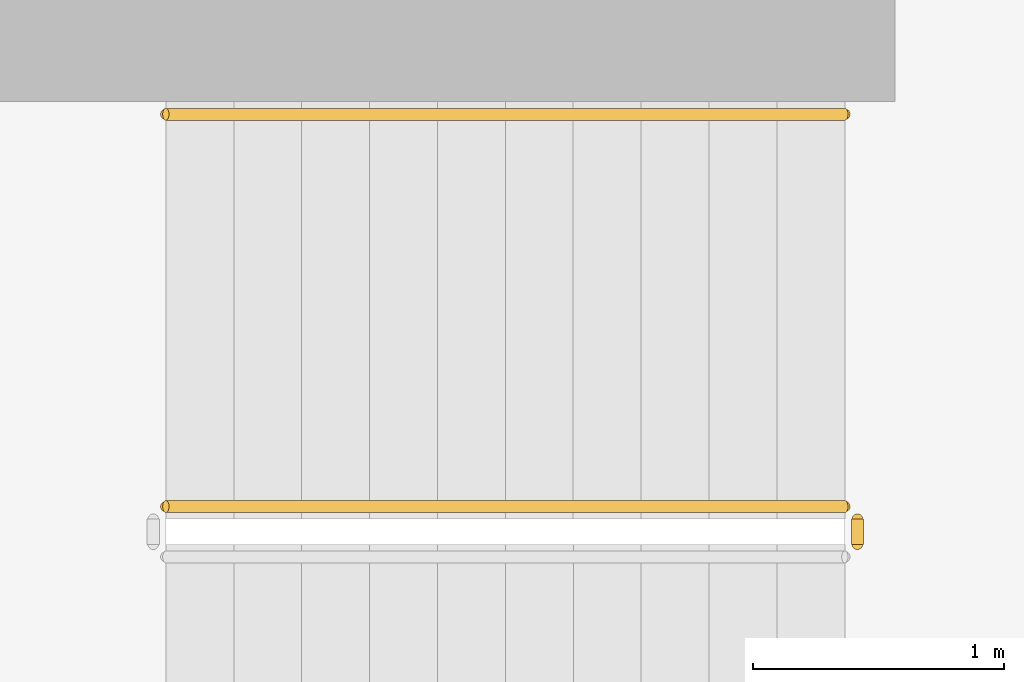
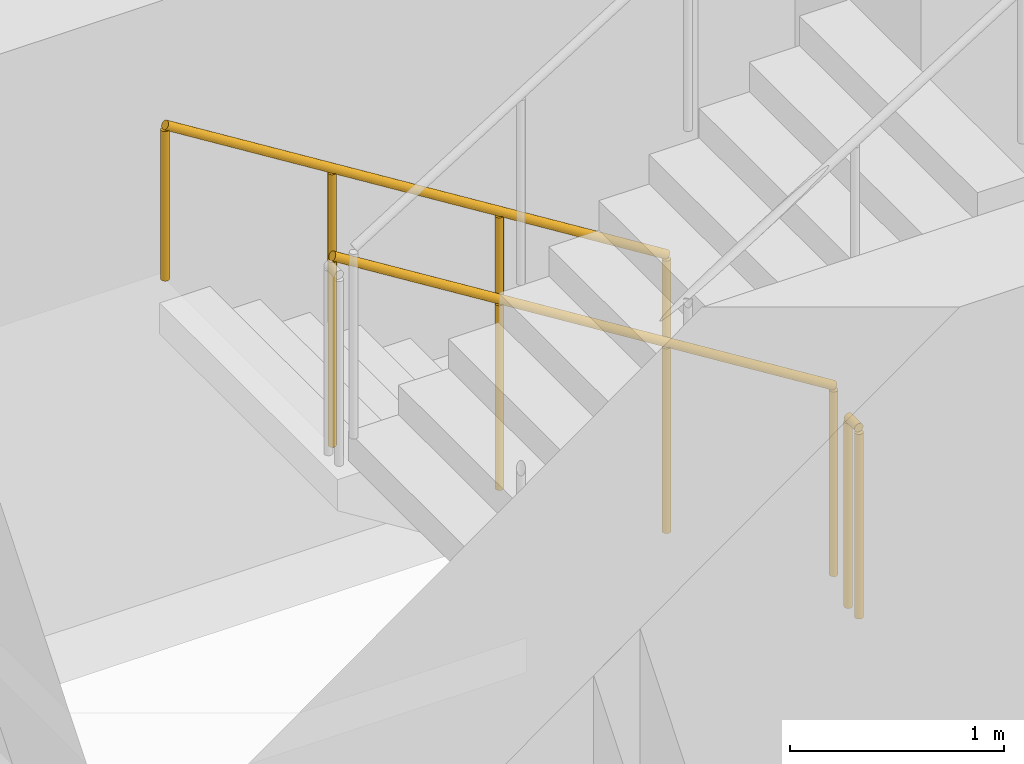
# One storey, part 15 of 16: 3 railings.
"""IFC4 building model written with IfcOpenShell, lengths in metres."""

import ifcopenshell
import ifcopenshell.guid

model = None  # the IFC model being written
_history = None  # IfcOwnerHistory: only IFC2X3 demands one
_inside = {}  # id of a spatial element -> (the spatial element, [elements in it])
_under = {}  # id of a project, library or spatial element -> (it, [spatial elements below it])
_declared = {}  # id of a project -> (the project, [libraries it declares])
_typed = {}  # id of a type object -> (the type object, [elements of that type])
_made_of = {}  # id of a material, layer set ... -> (it, [elements and type objects made of it])


def new_model(schema):
    """Start an empty IFC model of exactly this schema.

    Asked for "IFC4X3", IfcOpenShell would pick the latest addendum, in which some entities
    have other attributes; the version numbers below select the first issue.
    IFC2X3 requires an IfcOwnerHistory on every rooted entity: one is made here for all.
    """
    global model, _history
    if schema == "IFC4X3":
        model = ifcopenshell.file(schema_version=(4, 3, 0, 0))
    else:
        model = ifcopenshell.file(schema=schema)
    _inside.clear()
    _under.clear()
    _declared.clear()
    _typed.clear()
    _made_of.clear()
    _history = None
    if model.schema == "IFC2X3":
        org = make("IfcOrganization", Name="unknown")
        user = make(
            "IfcPersonAndOrganization",
            ThePerson=make("IfcPerson", FamilyName="unknown"),
            TheOrganization=org,
        )
        app = make(
            "IfcApplication",
            ApplicationDeveloper=org,
            Version="unknown",
            ApplicationFullName="unknown",
            ApplicationIdentifier="unknown",
        )
        _history = make(
            "IfcOwnerHistory",
            OwningUser=user,
            OwningApplication=app,
            ChangeAction="ADDED",
            CreationDate=0,
        )
    return model


def make(cls, **values):
    """One entity of the class cls with the attributes given. An attribute that is None is left unset."""
    return model.create_entity(
        cls, **{name: value for name, value in values.items() if value is not None}
    )


def rooted(cls, **values):
    """An entity with a GlobalId (a new one), such as an element, a storey or a relation."""
    return make(cls, GlobalId=ifcopenshell.guid.new(), OwnerHistory=_history, **values)


def si_unit(unit_type, name, prefix=None):
    """IfcSIUnit, for example si_unit("LENGTHUNIT", "METRE", prefix="MILLI")."""
    return make("IfcSIUnit", UnitType=unit_type, Prefix=prefix, Name=name)


def assignment(units):
    """IfcUnitAssignment: the units of a project."""
    return None if units is None else make("IfcUnitAssignment", Units=units)


def point(xyz):
    """IfcCartesianPoint."""
    return None if xyz is None else make("IfcCartesianPoint", Coordinates=xyz)


def direction(xyz):
    """IfcDirection."""
    return None if xyz is None else make("IfcDirection", DirectionRatios=xyz)


def frame(location, z_axis=None, x_axis=None):
    """IfcAxis2Placement3D, a coordinate frame: its origin and axes. An axis left out is left unset."""
    return make(
        "IfcAxis2Placement3D",
        Location=point(location),
        Axis=direction(z_axis),
        RefDirection=direction(x_axis),
    )


def frame_2d(location, x_axis=None):
    """IfcAxis2Placement2D, a coordinate frame in the plane: its origin and x axis."""
    return make(
        "IfcAxis2Placement2D", Location=point(location), RefDirection=direction(x_axis)
    )


def origin():
    """The frame at (0, 0, 0) with its axes left unset."""
    return frame((0.0, 0.0, 0.0))


def origin_2d():
    """The frame at (0, 0) in the plane with its x axis left unset."""
    return frame_2d((0.0, 0.0))


def place(relative_to, where):
    """IfcLocalPlacement: puts the frame where relative to a parent placement (None: the world)."""
    return make(
        "IfcLocalPlacement", PlacementRelTo=relative_to, RelativePlacement=where
    )


def context(
    kind, dimensions, precision=None, world=None, true_north=None, identifier=None
):
    """IfcGeometricRepresentationContext, for example the 3D "Model" context."""
    return make(
        "IfcGeometricRepresentationContext",
        ContextIdentifier=identifier,
        ContextType=kind,
        CoordinateSpaceDimension=dimensions,
        Precision=precision,
        WorldCoordinateSystem=world,
        TrueNorth=true_north,
    )


def subcontext(parent, identifier, kind, view, scale=None):
    """IfcGeometricRepresentationSubContext, for example "Body" below "Model"."""
    return make(
        "IfcGeometricRepresentationSubContext",
        ContextIdentifier=identifier,
        ContextType=kind,
        ParentContext=parent,
        TargetScale=scale,
        TargetView=view,
    )


def project(units=None, contexts=None):
    """IfcProject with its units and contexts."""
    return rooted(
        "IfcProject",
        Name="project",
        RepresentationContexts=contexts,
        UnitsInContext=assignment(units),
    )


def spatial(cls, under=None, at=None, **own):
    """A site, building, storey or space (cls), placed at a placement, below another one or the project."""
    s = rooted(cls, ObjectPlacement=at, **own)
    if under is not None:
        _under.setdefault(under.id(), (under, []))[1].append(s)
    return s


def profile(cls, at=None, kind="AREA", **sizes):
    """A parametric profile (cls). Its sizes go by their IFC names, for example OverallWidth=200.0."""
    return make(cls, ProfileType=kind, Position=at, **sizes)


def circle(**sizes):
    """IfcCircleProfileDef."""
    return profile("IfcCircleProfileDef", **sizes)


def extrude(swept, where, along, depth):
    """IfcExtrudedAreaSolid: the profile swept, set in the frame where, extruded along a direction by depth."""
    return make(
        "IfcExtrudedAreaSolid",
        SweptArea=swept,
        Position=where,
        ExtrudedDirection=direction(along),
        Depth=depth,
    )


def shape(context_of_items, identifier, shape_type, items):
    """IfcShapeRepresentation: the items that make up one representation, for example the "Body"."""
    return make(
        "IfcShapeRepresentation",
        ContextOfItems=context_of_items,
        RepresentationIdentifier=identifier,
        RepresentationType=shape_type,
        Items=items,
    )


def material(Name=None, Category=None):
    """IfcMaterial."""
    return make("IfcMaterial", Name=Name, Category=Category)


def made_of(thing, what):
    """Note that an element or type object is made of a material, layer set ...; save() writes the relation."""
    if what is not None:
        _made_of.setdefault(what.id(), (what, []))[1].append(thing)
    return thing


def type_object(cls, material=None, **own):
    """A type object (cls), such as IfcWallType, which elements share."""
    return made_of(rooted(cls, **own), material)


def element(
    cls,
    number,
    at=None,
    inside=None,
    cuts=None,
    type_object=None,
    material=None,
    context=None,
    identifier="Body",
    shape_type=None,
    held_by="IfcProductDefinitionShape",
    body=None,
    shapes=None,
    **own,
):
    """One element of the class cls, such as IfcWall. Its Tag is "e" and its number.

    at: its placement. inside: the storey or other place that contains it. cuts: it is an
    opening in that element (IfcRelVoidsElement). A single representation is given by context,
    identifier, shape_type and body (its items); several are given by shapes. held_by: the class
    of the entity that holds the representations. save() writes the other relations.
    """
    e = rooted(cls, Tag="e%d" % number, ObjectPlacement=at, **own)
    if body is not None:
        shapes = [shape(context, identifier, shape_type, body)]
    if shapes is not None:
        e.Representation = make(held_by, Representations=shapes)
    if inside is not None:
        _inside.setdefault(inside.id(), (inside, []))[1].append(e)
    if cuts is not None:
        rooted(
            "IfcRelVoidsElement", RelatingBuildingElement=cuts, RelatedOpeningElement=e
        )
    if type_object is not None:
        _typed.setdefault(type_object.id(), (type_object, []))[1].append(e)
    return made_of(e, material)


def aggregate(whole, parts):
    """IfcRelAggregates: a whole, such as a stair, and the parts it consists of."""
    return rooted("IfcRelAggregates", RelatingObject=whole, RelatedObjects=parts)


def save(model, path):
    """Write the relations noted so far, then the file.

    IfcRelAggregates (storeys below a building ...), IfcRelContainedInSpatialStructure (elements
    in a storey), IfcRelDefinesByType, IfcRelAssociatesMaterial and IfcRelDeclares: one each for
    every whole, place, type object, material and project.
    """
    for whole, parts in _under.values():
        aggregate(whole, parts)
    for where, things in _inside.values():
        rooted(
            "IfcRelContainedInSpatialStructure",
            RelatedElements=things,
            RelatingStructure=where,
        )
    for kind, things in _typed.values():
        rooted("IfcRelDefinesByType", RelatedObjects=things, RelatingType=kind)
    for what, things in _made_of.values():
        rooted("IfcRelAssociatesMaterial", RelatedObjects=things, RelatingMaterial=what)
    for by, libraries in _declared.values():
        rooted("IfcRelDeclares", RelatingContext=by, RelatedDefinitions=libraries)
    model.write(path)


model = new_model("IFC4")

# Units and contexts
model_context = context("Model", 3, precision=1e-05, world=origin(), true_north=direction((0.0, 1.0)))
body_context = subcontext(model_context, "Body", "Model", "MODEL_VIEW")
ifc_project = project(units=[si_unit("LENGTHUNIT", "METRE"), si_unit("AREAUNIT", "SQUARE_METRE"), si_unit("VOLUMEUNIT", "CUBIC_METRE"), si_unit("PLANEANGLEUNIT", "RADIAN"), si_unit("MASSUNIT", "GRAM", prefix="KILO")], contexts=[model_context])

# Site, building, storey
site_placement = place(None, origin())
site = spatial("IfcSite", under=ifc_project, at=site_placement, CompositionType="ELEMENT")
building_placement = place(site_placement, origin())
building = spatial("IfcBuilding", under=site, at=building_placement, Name="Vermilion Reach Broadcast Tower", CompositionType="ELEMENT")
storey_placement = place(building_placement, frame((0.0, 0.0, 58.199951171875)))
storey = spatial("IfcBuildingStorey", under=building, at=storey_placement, Name="L11", CompositionType="ELEMENT", Elevation=58.199951171875)

# Railings
ifc_material_1 = material(Name="Stainless steel", Category="steel")
railing_type_1 = type_object("IfcRailingType", Name="Stair guard 1100", PredefinedType="GUARDRAIL", material=ifc_material_1)
railing_1_placement = place(storey_placement, frame((-1.0, 5.68994140625, 0.168212890625)))
element("IfcRailing", 1, at=railing_1_placement, inside=storey, type_object=railing_type_1, Name="L11 ST2 stair guard 1", PredefinedType="GUARDRAIL", context=body_context, shape_type="SweptSolid", body=[
    extrude(circle(Radius=0.02392578125, at=origin_2d()), frame((0.0, 0.0, 1.076171875), z_axis=(-0.848786430784, 0.0, 0.528735846068), x_axis=(0.0, -1.0, 0.0)), (0.0, 0.0, 1.0), 3.180908203125),
    extrude(circle(Radius=0.02099609375, at=origin_2d()), origin(), (0.0, 0.0, 1.0), 1.052001953125),
    extrude(circle(Radius=0.02099609375, at=origin_2d()), frame((-0.89990234375, 0.0, 0.560546875)), (0.0, 0.0, 1.0), 1.052001953125),
    extrude(circle(Radius=0.02099609375, at=origin_2d()), frame((-1.800048828125, 0.0, 1.121337890625)), (0.0, 0.0, 1.0), 1.052001953125),
    extrude(circle(Radius=0.02099609375, at=origin_2d()), frame((-2.699951171875, 0.0, 1.681884765625)), (0.0, 0.0, 1.0), 1.052001953125),
])
railing_2_placement = place(storey_placement, frame((-0.949951171875, 5.639892578125, 0.0)))
element("IfcRailing", 2, at=railing_2_placement, inside=storey, type_object=railing_type_1, Name="L11 ST2 stair guard 4", PredefinedType="GUARDRAIL", context=body_context, shape_type="SweptSolid", body=[
    extrude(circle(Radius=0.02392578125, at=origin_2d()), frame((0.0, 0.0, 1.076171875), z_axis=(0.0, -1.0, 0.0), x_axis=(1.0, 0.0, 0.0)), (0.0, 0.0, 1.0), 0.099853515625),
    extrude(circle(Radius=0.02099609375, at=origin_2d()), origin(), (0.0, 0.0, 1.0), 1.052001953125),
    extrude(circle(Radius=0.02099609375, at=origin_2d()), frame((0.0, -0.099853515625, 0.0)), (0.0, 0.0, 1.0), 1.052001953125),
])
ifc_material_2 = material(Name="Stainless steel", Category="steel")
railing_type_2 = type_object("IfcRailingType", Name="Stair handrail", PredefinedType="HANDRAIL", material=ifc_material_2)
railing_3_placement = place(storey_placement, frame((-1.0, 7.25, 0.168212890625)))
element("IfcRailing", 3, at=railing_3_placement, inside=storey, type_object=railing_type_2, Name="L11 ST2 stair handrail 1", PredefinedType="HANDRAIL", context=body_context, shape_type="SweptSolid", body=[
    extrude(circle(Radius=0.02392578125, at=origin_2d()), frame((0.0, 0.0, 0.8759765625), z_axis=(-0.848786430784, 0.0, 0.528735846068), x_axis=(0.0, -1.0, 0.0)), (0.0, 0.0, 1.0), 3.180908203125),
    extrude(circle(Radius=0.02099609375, at=origin_2d()), origin(), (0.0, 0.0, 1.0), 0.851806640625),
    extrude(circle(Radius=0.02099609375, at=origin_2d()), frame((-0.89990234375, 0.0, 0.560546875)), (0.0, 0.0, 1.0), 0.851806640625),
    extrude(circle(Radius=0.02099609375, at=origin_2d()), frame((-1.800048828125, 0.0, 1.121337890625)), (0.0, 0.0, 1.0), 0.851806640625),
    extrude(circle(Radius=0.02099609375, at=origin_2d()), frame((-2.699951171875, 0.0, 1.681884765625)), (0.0, 0.0, 1.0), 0.851806640625),
])

save(model, "model.ifc")
